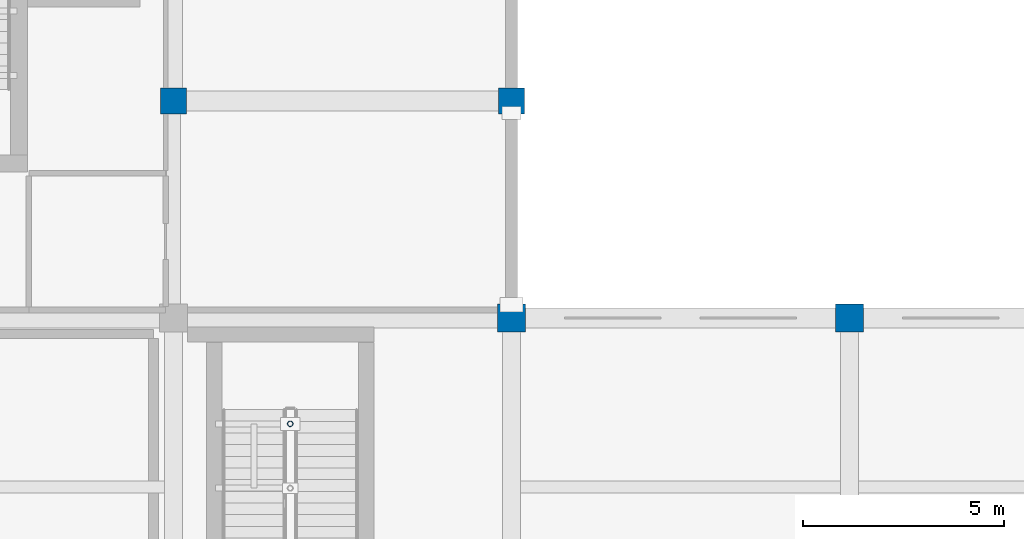
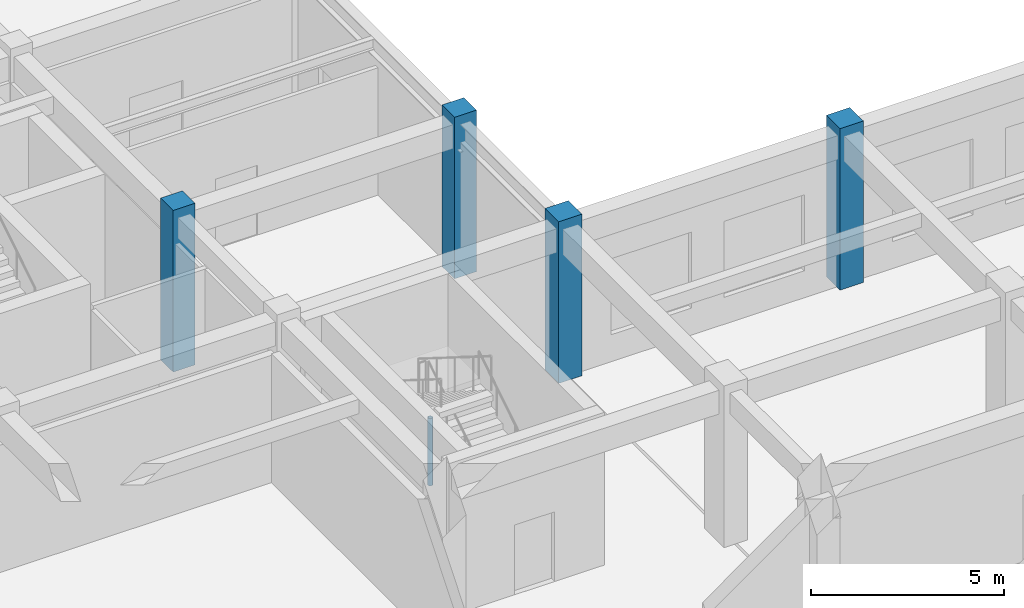
# One storey, part 7 of 80: 5 columns.
"""IFC4 building model written with IfcOpenShell, lengths in metres."""

from ifc_helpers import new_model, si_unit, direction, frame, origin, origin_2d, place, context, subcontext, project, spatial, rectangle, hollow_circle, extrude, material, material_profile, profile_set, type_object, element, save


model = new_model("IFC4")

# Units and contexts
model_context = context("Model", 3, precision=1e-05, world=origin(), true_north=direction((0.0, 1.0)))
body_context = subcontext(model_context, "Body", "Model", "MODEL_VIEW")
ifc_project = project(units=[si_unit("LENGTHUNIT", "METRE"), si_unit("AREAUNIT", "SQUARE_METRE"), si_unit("VOLUMEUNIT", "CUBIC_METRE"), si_unit("PLANEANGLEUNIT", "RADIAN"), si_unit("MASSUNIT", "GRAM", prefix="KILO")], contexts=[model_context])

# Site, building, storey
site_placement = place(None, origin())
site = spatial("IfcSite", under=ifc_project, at=site_placement, CompositionType="ELEMENT")
building_placement = place(site_placement, origin())
building = spatial("IfcBuilding", under=site, at=building_placement, Name="Krzemoval Escarpment Law Courts", CompositionType="ELEMENT")
storey_placement = place(building_placement, origin())
storey = spatial("IfcBuildingStorey", under=building, at=storey_placement, Name="L00", CompositionType="ELEMENT", Elevation=0.0)

# Columns
ifc_material_1 = material(Name="Concrete C40/50", Category="concrete")
ifc_material_profile_1 = material_profile(ifc_material_1, rectangle(XDim=0.64990234375, YDim=0.64990234375, at=origin_2d()), Name="RC 650x650")
ifc_profile_set_1 = profile_set([ifc_material_profile_1], Name="Concrete C40/50")
column_type_1 = type_object("IfcColumnType", Name="COL-RC-650", PredefinedType="COLUMN", material=ifc_profile_set_1)
for number, where, z_axis, x_axis, name in (
    (1, (33.60009765625, 40.800048828125, 0.0), (0.0, 0.0, 1.0), (1.0, 0.0, 0.0), "Column FC-L00-0337"),
    (2, (42.0, 40.800048828125, 0.0), (0.0, 0.0, 1.0), (1.0, 0.0, 0.0), "Column FC-L00-0354"),
):
    element("IfcColumn", number, at=place(storey_placement, frame(where, z_axis=z_axis, x_axis=x_axis)), inside=storey, type_object=column_type_1, Name=name, PredefinedType="COLUMN", context=body_context, shape_type="SweptSolid", body=[
        extrude(rectangle(XDim=0.64990234375, YDim=0.64990234375, at=origin_2d()), origin(), (0.0, 0.0, 1.0), 5.10009765625),
    ])
ifc_material_2 = material(Name="Concrete C40/50", Category="concrete")
ifc_material_profile_2 = material_profile(ifc_material_2, rectangle(XDim=0.699951171875, YDim=0.699951171875, at=origin_2d()), Name="RC 700x700")
ifc_profile_set_2 = profile_set([ifc_material_profile_2], Name="Concrete C40/50")
column_type_2 = type_object("IfcColumnType", Name="COL-RC-700", PredefinedType="COLUMN", material=ifc_profile_set_2)
for number, where, z_axis, x_axis, name in (
    (3, (42.0, 35.39990234375, 0.0), (0.0, 0.0, 1.0), (1.0, 0.0, 0.0), "Column FC-L00-0353"),
    (4, (50.39990234375, 35.39990234375, 0.0), (0.0, 0.0, 1.0), (1.0, 0.0, 0.0), "Column FC-L00-0370"),
):
    element("IfcColumn", number, at=place(storey_placement, frame(where, z_axis=z_axis, x_axis=x_axis)), inside=storey, type_object=column_type_2, Name=name, PredefinedType="COLUMN", context=body_context, shape_type="SweptSolid", body=[
        extrude(rectangle(XDim=0.699951171875, YDim=0.699951171875, at=origin_2d()), origin(), (0.0, 0.0, 1.0), 5.10009765625),
    ])
ifc_material_3 = material(Name="Steel S355", Category="steel")
ifc_material_profile_3 = material_profile(ifc_material_3, hollow_circle(Radius=0.06982421875, WallThickness=0.008056640625, at=origin_2d()), Name="CHS 139.7x8")
ifc_profile_set_3 = profile_set([ifc_material_profile_3], Name="Steel S355")
column_type_3 = type_object("IfcColumnType", Name="COL-S355-CHS140", PredefinedType="COLUMN", material=ifc_profile_set_3)
column_placement = place(storey_placement, frame((36.5, 32.77001953125, 0.0), z_axis=(0.0, 0.0, 1.0), x_axis=(1.0, 0.0, 0.0)))
element("IfcColumn", 5, at=column_placement, inside=storey, type_object=column_type_3, Name="Stair Well Post SCP-C7-L00-1", PredefinedType="COLUMN", context=body_context, shape_type="SweptSolid", body=[
    extrude(hollow_circle(Radius=0.06982421875, WallThickness=0.008056640625, at=origin_2d()), origin(), (0.0, 0.0, 1.0), 2.1201171875),
])

save(model, "model.ifc")
